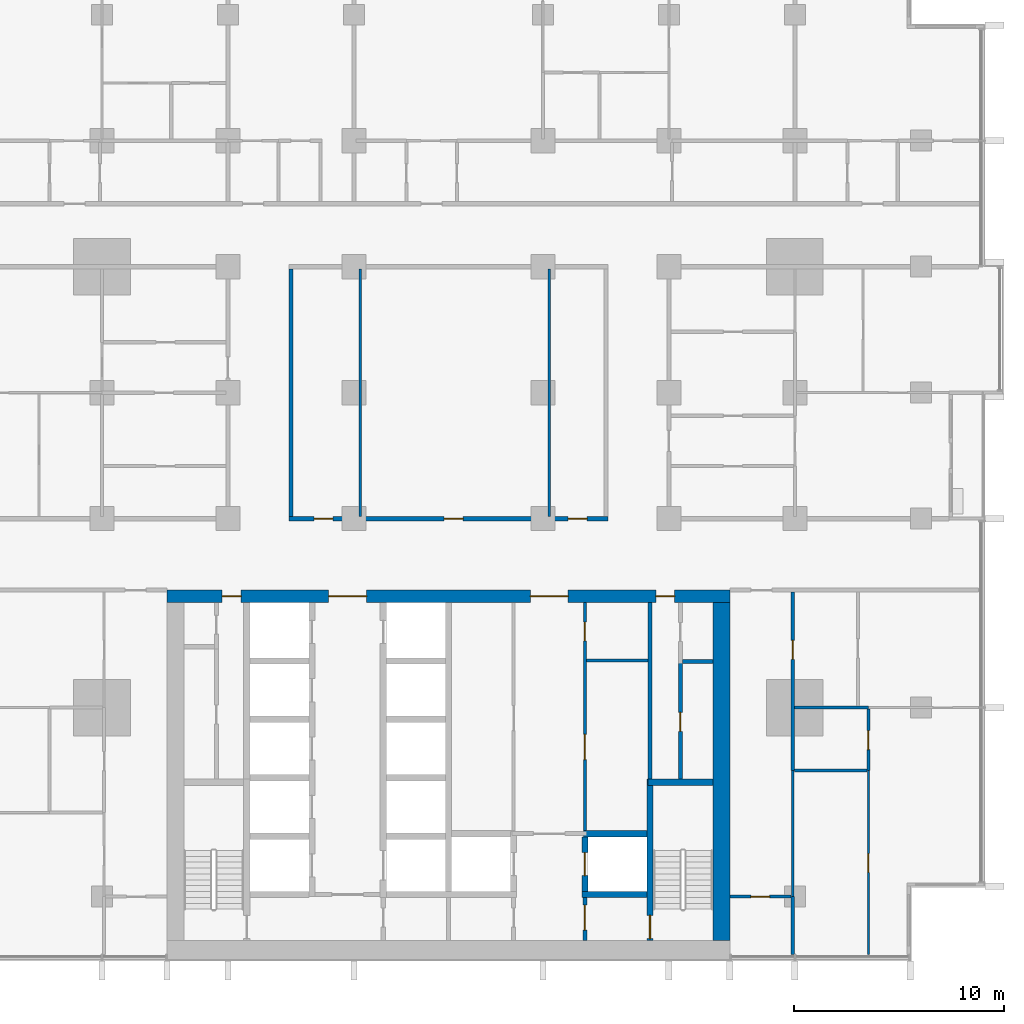
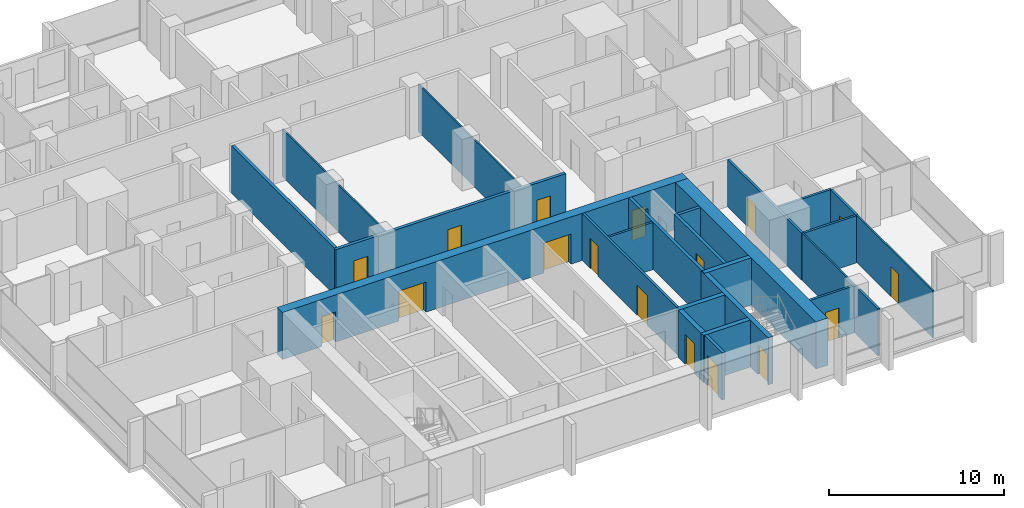
# One storey, part 9 of 18: 25 walls, 17 doors, 17 openings.
"""IFC4 building model written with IfcOpenShell, lengths in metres."""

from ifc_helpers import new_model, si_unit, direction, frame, frame_2d, origin, place, context, subcontext, project, spatial, rectangle, extrude, material, layer, layer_set, type_object, element, fill, save


model = new_model("IFC4")

# Units and contexts
model_context = context("Model", 3, precision=1e-05, world=origin(), true_north=direction((0.0, 1.0)))
body_context = subcontext(model_context, "Body", "Model", "MODEL_VIEW")
ifc_project = project(units=[si_unit("LENGTHUNIT", "METRE"), si_unit("AREAUNIT", "SQUARE_METRE"), si_unit("VOLUMEUNIT", "CUBIC_METRE"), si_unit("PLANEANGLEUNIT", "RADIAN"), si_unit("MASSUNIT", "GRAM", prefix="KILO")], contexts=[model_context])

# Site, building, storey
site_placement = place(None, origin())
site = spatial("IfcSite", under=ifc_project, at=site_placement, CompositionType="ELEMENT")
building_placement = place(site_placement, origin())
building = spatial("IfcBuilding", under=site, at=building_placement, Name="Finial Court Residences", CompositionType="ELEMENT")
storey_placement = place(building_placement, frame((0.0, 0.0, 84.699951171875)))
storey = spatial("IfcBuildingStorey", under=building, at=storey_placement, Name="L20", CompositionType="ELEMENT", Elevation=84.699951171875)

# Wall, openings, doors
ifc_material_1 = material(Name="Concrete C70/85", Category="concrete")
ifc_layer_1 = layer(ifc_material_1, 0.60009765625)
ifc_layer_set_1 = layer_set([ifc_layer_1], Name="Core outer wall 600 Concrete C70/85")
wall_type_1 = type_object("IfcWallType", Name="Core outer wall 600 Concrete C70/85", PredefinedType="SHEAR", material=ifc_layer_set_1)
wall_1_placement = place(storey_placement, frame((-13.39990234375, -8.199951171875, 0.0), z_axis=(0.0, 0.0, 1.0), x_axis=(1.0, 0.0, 0.0)))
wall_1 = element("IfcWall", 1, at=wall_1_placement, inside=storey, type_object=wall_type_1, Name="Core outer wall L20-02", PredefinedType="SHEAR", context=body_context, shape_type="SweptSolid", body=[
    extrude(rectangle(XDim=26.7998046875, YDim=0.60009765625, at=frame_2d((13.39990234375, 0.0))), origin(), (0.0, 0.0, 1.0), 3.300048828125),
])
opening_1_placement = place(wall_1_placement, frame((7.699951171875, 0.0, 0.0)))
opening_1 = element("IfcOpeningElement", 2, at=opening_1_placement, cuts=wall_1, Name="Opening L20-C04", PredefinedType="OPENING", context=body_context, shape_type="SweptSolid", body=[
    extrude(rectangle(XDim=1.800048828125, YDim=2.10009765625, at=frame_2d((0.89990234375, 1.050048828125))), frame((0.0, 0.31005859375, 0.0), z_axis=(0.0, -1.0, 0.0), x_axis=(1.0, 0.0, 0.0)), (0.0, 0.0, 1.0), 0.6201171875),
])
opening_2_placement = place(wall_1_placement, frame((17.300048828125, 0.0, 0.0)))
opening_2 = element("IfcOpeningElement", 3, at=opening_2_placement, cuts=wall_1, Name="Opening L20-C05", PredefinedType="OPENING", context=body_context, shape_type="SweptSolid", body=[
    extrude(rectangle(XDim=1.800048828125, YDim=2.10009765625, at=frame_2d((0.89990234375, 1.050048828125))), frame((0.0, 0.31005859375, 0.0), z_axis=(0.0, -1.0, 0.0), x_axis=(1.0, 0.0, 0.0)), (0.0, 0.0, 1.0), 0.6201171875),
])
opening_3_placement = place(wall_1_placement, frame((2.625, 0.0, 0.0)))
opening_3 = element("IfcOpeningElement", 4, at=opening_3_placement, cuts=wall_1, Name="Opening L20-C09", PredefinedType="OPENING", context=body_context, shape_type="SweptSolid", body=[
    extrude(rectangle(XDim=0.89990234375, YDim=2.10009765625, at=frame_2d((0.449951171875, 1.050048828125))), frame((0.0, 0.31005859375, 0.0), z_axis=(0.0, -1.0, 0.0), x_axis=(1.0, 0.0, 0.0)), (0.0, 0.0, 1.0), 0.6201171875),
])
opening_4_placement = place(wall_1_placement, frame((23.27490234375, 0.0, 0.0)))
opening_4 = element("IfcOpeningElement", 5, at=opening_4_placement, cuts=wall_1, Name="Opening L20-C10", PredefinedType="OPENING", context=body_context, shape_type="SweptSolid", body=[
    extrude(rectangle(XDim=0.89990234375, YDim=2.10009765625, at=frame_2d((0.449951171875, 1.050048828125))), frame((0.0, 0.31005859375, 0.0), z_axis=(0.0, -1.0, 0.0), x_axis=(1.0, 0.0, 0.0)), (0.0, 0.0, 1.0), 0.6201171875),
])
ifc_material_2 = material(Name="Steel fire door", Category="steel")
door_type_1 = type_object("IfcDoorType", Name="Lift lobby door 1800 x 2100 EI 60", OperationType="DOUBLE_DOOR_SINGLE_SWING", PredefinedType="DOOR", material=ifc_material_2)
door_1_placement = place(opening_1_placement, origin())
door_1 = element("IfcDoor", 6, at=door_1_placement, inside=storey, type_object=door_type_1, Name="Lift lobby door L20-C04", OperationType="DOUBLE_DOOR_SINGLE_SWING", OverallHeight=2.10009765625, OverallWidth=1.800048828125, PredefinedType="DOOR", context=body_context, shape_type="SweptSolid", body=[
    extrude(rectangle(XDim=1.800048828125, YDim=2.10009765625, at=frame_2d((0.89990234375, 1.050048828125))), frame((0.0, 0.02490234375, 0.0), z_axis=(0.0, -1.0, 0.0), x_axis=(1.0, 0.0, 0.0)), (0.0, 0.0, 1.0), 0.050048828125),
])
fill(opening_1, door_1)
door_2_placement = place(opening_2_placement, origin())
door_2 = element("IfcDoor", 7, at=door_2_placement, inside=storey, type_object=door_type_1, Name="Lift lobby door L20-C05", OperationType="DOUBLE_DOOR_SINGLE_SWING", OverallHeight=2.10009765625, OverallWidth=1.800048828125, PredefinedType="DOOR", context=body_context, shape_type="SweptSolid", body=[
    extrude(rectangle(XDim=1.800048828125, YDim=2.10009765625, at=frame_2d((0.89990234375, 1.050048828125))), frame((0.0, 0.02490234375, 0.0), z_axis=(0.0, -1.0, 0.0), x_axis=(1.0, 0.0, 0.0)), (0.0, 0.0, 1.0), 0.050048828125),
])
fill(opening_2, door_2)
door_type_2 = type_object("IfcDoorType", Name="Riser room door 900 x 2100 EI 90", OperationType="NOTDEFINED", PredefinedType="DOOR", material=ifc_material_2)
door_3_placement = place(opening_3_placement, origin())
door_3 = element("IfcDoor", 8, at=door_3_placement, inside=storey, type_object=door_type_2, Name="Riser room door L20-C09", OperationType="SINGLE_SWING_RIGHT", OverallHeight=2.10009765625, OverallWidth=0.89990234375, PredefinedType="DOOR", context=body_context, shape_type="SweptSolid", body=[
    extrude(rectangle(XDim=0.89990234375, YDim=2.10009765625, at=frame_2d((0.449951171875, 1.050048828125))), frame((0.0, 0.02490234375, 0.0), z_axis=(0.0, -1.0, 0.0), x_axis=(1.0, 0.0, 0.0)), (0.0, 0.0, 1.0), 0.050048828125),
])
fill(opening_3, door_3)
door_4_placement = place(opening_4_placement, origin())
door_4 = element("IfcDoor", 9, at=door_4_placement, inside=storey, type_object=door_type_2, Name="Riser room door L20-C10", OperationType="SINGLE_SWING_LEFT", OverallHeight=2.10009765625, OverallWidth=0.89990234375, PredefinedType="DOOR", context=body_context, shape_type="SweptSolid", body=[
    extrude(rectangle(XDim=0.89990234375, YDim=2.10009765625, at=frame_2d((0.449951171875, 1.050048828125))), frame((0.0, 0.02490234375, 0.0), z_axis=(0.0, -1.0, 0.0), x_axis=(1.0, 0.0, 0.0)), (0.0, 0.0, 1.0), 0.050048828125),
])
fill(opening_4, door_4)

# Walls
ifc_layer_2 = layer(ifc_material_1, 0.800048828125)
ifc_layer_set_2 = layer_set([ifc_layer_2], Name="Core outer wall 800 Concrete C70/85")
wall_type_2 = type_object("IfcWallType", Name="Core outer wall 800 Concrete C70/85", PredefinedType="SHEAR", material=ifc_layer_set_2)
wall_2_placement = place(storey_placement, frame((13.0, -24.60009765625, 0.0), z_axis=(0.0, 0.0, 1.0), x_axis=(0.0, 1.0, 0.0)))
element("IfcWall", 10, at=wall_2_placement, inside=storey, type_object=wall_type_2, Name="Core outer wall L20-04", PredefinedType="SHEAR", context=body_context, shape_type="SweptSolid", body=[
    extrude(rectangle(XDim=16.10009765625, YDim=0.800048828125, at=frame_2d((8.050048828125, 0.0))), origin(), (0.0, 0.0, 1.0), 3.300048828125),
])
ifc_material_3 = material(Name="Fire-rated gypsum board partition")
ifc_layer_3 = layer(ifc_material_3, 0.14990234375)
ifc_layer_set_3 = layer_set([ifc_layer_3], Name="Core room partition 150 EI 60")
wall_type_3 = type_object("IfcWallType", Name="Core room partition 150 EI 60", PredefinedType="PARTITIONING", material=ifc_layer_set_3)
wall_3_placement = place(storey_placement, frame((6.574951171875, -11.25, 0.0), z_axis=(0.0, 0.0, 1.0), x_axis=(1.0, 0.0, 0.0)))
element("IfcWall", 11, at=wall_3_placement, inside=storey, type_object=wall_type_3, Name="Core partition L20-19", PredefinedType="PARTITIONING", context=body_context, shape_type="SweptSolid", body=[
    extrude(rectangle(XDim=2.925048828125, YDim=0.14990234375, at=frame_2d((1.46240234375, 0.0))), origin(), (0.0, 0.0, 1.0), 3.300048828125),
])

# Wall, openings, doors
wall_4_placement = place(storey_placement, frame((6.5, -8.5, 0.0), z_axis=(0.0, 0.0, 1.0), x_axis=(0.0, -1.0, 0.0)))
wall_4 = element("IfcWall", 12, at=wall_4_placement, inside=storey, type_object=wall_type_3, Name="Core partition L20-35", PredefinedType="PARTITIONING", context=body_context, shape_type="SweptSolid", body=[
    extrude(rectangle(XDim=10.85009765625, YDim=0.14990234375, at=frame_2d((5.425048828125, 0.0))), origin(), (0.0, 0.0, 1.0), 3.300048828125),
])
opening_5_placement = place(wall_4_placement, frame((6.27490234375, 0.0, 0.0)))
opening_5 = element("IfcOpeningElement", 13, at=opening_5_placement, cuts=wall_4, Name="Opening L20-C15", PredefinedType="OPENING", context=body_context, shape_type="SweptSolid", body=[
    extrude(rectangle(XDim=1.199951171875, YDim=2.10009765625, at=frame_2d((0.60009765625, 1.050048828125))), frame((0.0, 0.0849609375, 0.0), z_axis=(0.0, -1.0, 0.0), x_axis=(1.0, 0.0, 0.0)), (0.0, 0.0, 1.0), 0.169921875),
])
opening_6_placement = place(wall_4_placement, frame((0.925048828125, 0.0, 0.0)))
opening_6 = element("IfcOpeningElement", 14, at=opening_6_placement, cuts=wall_4, Name="Opening L20-C16", PredefinedType="OPENING", context=body_context, shape_type="SweptSolid", body=[
    extrude(rectangle(XDim=0.89990234375, YDim=2.10009765625, at=frame_2d((0.449951171875, 1.050048828125))), frame((0.0, 0.0849609375, 0.0), z_axis=(0.0, -1.0, 0.0), x_axis=(1.0, 0.0, 0.0)), (0.0, 0.0, 1.0), 0.169921875),
])
door_type_3 = type_object("IfcDoorType", Name="Core room door 1200 x 2100 EI 60", OperationType="NOTDEFINED", PredefinedType="DOOR", material=ifc_material_2)
door_5_placement = place(opening_5_placement, origin())
door_5 = element("IfcDoor", 15, at=door_5_placement, inside=storey, type_object=door_type_3, Name="Core room door L20-C15", OperationType="SINGLE_SWING_RIGHT", OverallHeight=2.10009765625, OverallWidth=1.199951171875, PredefinedType="DOOR", context=body_context, shape_type="SweptSolid", body=[
    extrude(rectangle(XDim=1.199951171875, YDim=2.10009765625, at=frame_2d((0.60009765625, 1.050048828125))), frame((0.0, 0.02490234375, 0.0), z_axis=(0.0, -1.0, 0.0), x_axis=(1.0, 0.0, 0.0)), (0.0, 0.0, 1.0), 0.050048828125),
])
fill(opening_5, door_5)
door_type_4 = type_object("IfcDoorType", Name="Core room door 900 x 2100 EI 60", OperationType="NOTDEFINED", PredefinedType="DOOR", material=ifc_material_2)
door_6_placement = place(opening_6_placement, origin())
door_6 = element("IfcDoor", 16, at=door_6_placement, inside=storey, type_object=door_type_4, Name="Core room door L20-C16", OperationType="SINGLE_SWING_RIGHT", OverallHeight=2.10009765625, OverallWidth=0.89990234375, PredefinedType="DOOR", context=body_context, shape_type="SweptSolid", body=[
    extrude(rectangle(XDim=0.89990234375, YDim=2.10009765625, at=frame_2d((0.449951171875, 1.050048828125))), frame((0.0, 0.02490234375, 0.0), z_axis=(0.0, -1.0, 0.0), x_axis=(1.0, 0.0, 0.0)), (0.0, 0.0, 1.0), 0.050048828125),
])
fill(opening_6, door_6)

ifc_material_4 = material(Name="Gypsum board")
ifc_layer_4 = layer(ifc_material_4, 0.02490234375)
ifc_material_5 = material(Name="Acoustic mineral wool in double frame")
ifc_layer_5 = layer(ifc_material_5, 0.14990234375)
ifc_layer_6 = layer(ifc_material_4, 0.02490234375)
ifc_layer_set_4 = layer_set([ifc_layer_4, ifc_layer_5, ifc_layer_6], Name="Corridor wall 200, 1 hour")
wall_type_4 = type_object("IfcWallType", Name="Corridor wall 200, 1 hour", PredefinedType="PARTITIONING", material=ifc_layer_set_4)
wall_5_placement = place(storey_placement, frame((-7.60009765625, -4.5, 0.0), z_axis=(0.0, 0.0, 1.0), x_axis=(1.0, 0.0, 0.0)))
wall_5 = element("IfcWall", 17, at=wall_5_placement, inside=storey, type_object=wall_type_4, Name="Partition L20-012", PredefinedType="PARTITIONING", context=body_context, shape_type="SweptSolid", body=[
    extrude(rectangle(XDim=15.2001953125, YDim=0.199951171875, at=frame_2d((7.60009765625, 0.0))), origin(), (0.0, 0.0, 1.0), 3.300048828125),
])
opening_7_placement = place(wall_5_placement, frame((1.199951171875, 0.0, 0.0)))
opening_7 = element("IfcOpeningElement", 18, at=opening_7_placement, cuts=wall_5, Name="Opening L20-D007", PredefinedType="OPENING", context=body_context, shape_type="SweptSolid", body=[
    extrude(rectangle(XDim=0.89990234375, YDim=2.10009765625, at=frame_2d((0.449951171875, 1.050048828125))), frame((0.0, 0.10986328125, 0.0), z_axis=(0.0, -1.0, 0.0), x_axis=(1.0, 0.0, 0.0)), (0.0, 0.0, 1.0), 0.219970703125),
])
opening_8_placement = place(wall_5_placement, frame((7.39990234375, 0.0, 0.0)))
opening_8 = element("IfcOpeningElement", 19, at=opening_8_placement, cuts=wall_5, Name="Opening L20-D008", PredefinedType="OPENING", context=body_context, shape_type="SweptSolid", body=[
    extrude(rectangle(XDim=0.89990234375, YDim=2.10009765625, at=frame_2d((0.449951171875, 1.050048828125))), frame((0.0, 0.10986328125, 0.0), z_axis=(0.0, -1.0, 0.0), x_axis=(1.0, 0.0, 0.0)), (0.0, 0.0, 1.0), 0.219970703125),
])
opening_9_placement = place(wall_5_placement, frame((13.300048828125, 0.0, 0.0)))
opening_9 = element("IfcOpeningElement", 20, at=opening_9_placement, cuts=wall_5, Name="Opening L20-D009", PredefinedType="OPENING", context=body_context, shape_type="SweptSolid", body=[
    extrude(rectangle(XDim=0.89990234375, YDim=2.10009765625, at=frame_2d((0.449951171875, 1.050048828125))), frame((0.0, 0.10986328125, 0.0), z_axis=(0.0, -1.0, 0.0), x_axis=(1.0, 0.0, 0.0)), (0.0, 0.0, 1.0), 0.219970703125),
])
ifc_material_6 = material(Name="Timber door leaf in hollow metal frame", Category="wood")
door_type_5 = type_object("IfcDoorType", Name="Fire door set 900 x 2100, 30 minutes", OperationType="SINGLE_SWING_LEFT", PredefinedType="DOOR", material=ifc_material_6)
door_7_placement = place(opening_7_placement, origin())
door_7 = element("IfcDoor", 21, at=door_7_placement, inside=storey, type_object=door_type_5, Name="Door L20-D007", OperationType="SINGLE_SWING_RIGHT", OverallHeight=2.10009765625, OverallWidth=0.89990234375, PredefinedType="DOOR", context=body_context, shape_type="SweptSolid", body=[
    extrude(rectangle(XDim=0.89990234375, YDim=2.10009765625, at=frame_2d((0.449951171875, 1.050048828125))), frame((0.0, 0.02490234375, 0.0), z_axis=(0.0, -1.0, 0.0), x_axis=(1.0, 0.0, 0.0)), (0.0, 0.0, 1.0), 0.050048828125),
])
fill(opening_7, door_7)
door_8_placement = place(opening_8_placement, origin())
door_8 = element("IfcDoor", 22, at=door_8_placement, inside=storey, type_object=door_type_5, Name="Door L20-D008", OperationType="SINGLE_SWING_LEFT", OverallHeight=2.10009765625, OverallWidth=0.89990234375, PredefinedType="DOOR", context=body_context, shape_type="SweptSolid", body=[
    extrude(rectangle(XDim=0.89990234375, YDim=2.10009765625, at=frame_2d((0.449951171875, 1.050048828125))), frame((0.0, 0.02490234375, 0.0), z_axis=(0.0, -1.0, 0.0), x_axis=(1.0, 0.0, 0.0)), (0.0, 0.0, 1.0), 0.050048828125),
])
fill(opening_8, door_8)
door_9_placement = place(opening_9_placement, origin())
door_9 = element("IfcDoor", 23, at=door_9_placement, inside=storey, type_object=door_type_5, Name="Door L20-D009", OperationType="SINGLE_SWING_LEFT", OverallHeight=2.10009765625, OverallWidth=0.89990234375, PredefinedType="DOOR", context=body_context, shape_type="SweptSolid", body=[
    extrude(rectangle(XDim=0.89990234375, YDim=2.10009765625, at=frame_2d((0.449951171875, 1.050048828125))), frame((0.0, 0.02490234375, 0.0), z_axis=(0.0, -1.0, 0.0), x_axis=(1.0, 0.0, 0.0)), (0.0, 0.0, 1.0), 0.050048828125),
])
fill(opening_9, door_9)

# Wall
wall_6_placement = place(storey_placement, frame((-7.5, -4.39990234375, 0.0), z_axis=(0.0, 0.0, 1.0), x_axis=(0.0, 1.0, 0.0)))
element("IfcWall", 24, at=wall_6_placement, inside=storey, type_object=wall_type_4, Name="Partition L20-058", PredefinedType="PARTITIONING", context=body_context, shape_type="SweptSolid", body=[
    extrude(rectangle(XDim=11.7998046875, YDim=0.199951171875, at=frame_2d((5.89990234375, 0.0))), origin(), (0.0, 0.0, 1.0), 3.300048828125),
])

# Wall, opening, door
ifc_layer_7 = layer(ifc_material_3, 0.199951171875)
ifc_layer_set_5 = layer_set([ifc_layer_7], Name="Firefighting lobby wall 200 EI 120")
wall_type_5 = type_object("IfcWallType", Name="Firefighting lobby wall 200 EI 120", PredefinedType="PARTITIONING", material=ifc_layer_set_5)
wall_7_placement = place(storey_placement, frame((6.5, -22.550048828125, 0.0), z_axis=(0.0, 0.0, 1.0), x_axis=(0.0, -1.0, 0.0)))
wall_7 = element("IfcWall", 25, at=wall_7_placement, inside=storey, type_object=wall_type_5, Name="Core partition L20-33", PredefinedType="PARTITIONING", context=body_context, shape_type="SweptSolid", body=[
    extrude(rectangle(XDim=2.050048828125, YDim=0.199951171875, at=frame_2d((1.02490234375, 0.0))), origin(), (0.0, 0.0, 1.0), 3.300048828125),
])
opening_10_placement = place(wall_7_placement, frame((0.35009765625, 0.0, 0.0)))
opening_10 = element("IfcOpeningElement", 26, at=opening_10_placement, cuts=wall_7, Name="Opening L20-C01", PredefinedType="OPENING", context=body_context, shape_type="SweptSolid", body=[
    extrude(rectangle(XDim=1.199951171875, YDim=2.10009765625, at=frame_2d((0.60009765625, 1.050048828125))), frame((0.0, 0.10986328125, 0.0), z_axis=(0.0, -1.0, 0.0), x_axis=(1.0, 0.0, 0.0)), (0.0, 0.0, 1.0), 0.219970703125),
])
door_type_6 = type_object("IfcDoorType", Name="Firefighting lobby door 1200 x 2100 EI 90", OperationType="NOTDEFINED", PredefinedType="DOOR", material=ifc_material_2)
door_10_placement = place(opening_10_placement, origin())
door_10 = element("IfcDoor", 27, at=door_10_placement, inside=storey, type_object=door_type_6, Name="Firefighting lobby door L20-C01", OperationType="SINGLE_SWING_RIGHT", OverallHeight=2.10009765625, OverallWidth=1.199951171875, PredefinedType="DOOR", context=body_context, shape_type="SweptSolid", body=[
    extrude(rectangle(XDim=1.199951171875, YDim=2.10009765625, at=frame_2d((0.60009765625, 1.050048828125))), frame((0.0, 0.02490234375, 0.0), z_axis=(0.0, -1.0, 0.0), x_axis=(1.0, 0.0, 0.0)), (0.0, 0.0, 1.0), 0.050048828125),
])
fill(opening_10, door_10)

# Walls
ifc_layer_8 = layer(ifc_material_4, 0.012451171875)
ifc_material_7 = material(Name="Mineral wool in light-gauge frame")
ifc_layer_9 = layer(ifc_material_7, 0.074951171875)
ifc_layer_10 = layer(ifc_material_4, 0.012451171875)
ifc_layer_set_6 = layer_set([ifc_layer_8, ifc_layer_9, ifc_layer_10], Name="Gypsum board partition 100")
wall_type_6 = type_object("IfcWallType", Name="Gypsum board partition 100", PredefinedType="PARTITIONING", material=ifc_layer_set_6)
for number, where, z_axis, x_axis, name in (
    (28, (-4.199951171875, -4.39990234375, 0.0), (0.0, 0.0, 1.0), (0.0, 1.0, 0.0), "Partition L20-061"),
    (29, (4.800048828125, -4.39990234375, 0.0), (0.0, 0.0, 1.0), (0.0, 1.0, 0.0), "Partition L20-066"),
):
    element("IfcWall", number, at=place(storey_placement, frame(where, z_axis=z_axis, x_axis=x_axis)), inside=storey, type_object=wall_type_6, Name=name, PredefinedType="PARTITIONING", context=body_context, shape_type="SweptSolid", body=[
        extrude(rectangle(XDim=11.7998046875, YDim=0.10009765625, at=frame_2d((5.89990234375, 0.0))), origin(), (0.0, 0.0, 1.0), 3.300048828125),
    ])
wall_8_placement = place(storey_placement, frame((16.39990234375, -22.5, 0.0), z_axis=(0.0, 0.0, 1.0), x_axis=(0.0, 1.0, 0.0)))
element("IfcWall", 30, at=wall_8_placement, inside=storey, type_object=wall_type_6, Name="Partition L20-072", PredefinedType="PARTITIONING", context=body_context, shape_type="SweptSolid", body=[
    extrude(rectangle(XDim=6.0, YDim=0.10009765625, at=frame_2d((3.0, 0.0))), origin(), (0.0, 0.0, 1.0), 3.300048828125),
])

# Wall, opening, door
wall_9_placement = place(storey_placement, frame((20.0, -25.25, 0.0), z_axis=(0.0, 0.0, 1.0), x_axis=(0.0, 1.0, 0.0)))
wall_9 = element("IfcWall", 31, at=wall_9_placement, inside=storey, type_object=wall_type_6, Name="Partition L20-084", PredefinedType="PARTITIONING", context=body_context, shape_type="SweptSolid", body=[
    extrude(rectangle(XDim=8.75, YDim=0.10009765625, at=frame_2d((4.375, 0.0))), origin(), (0.0, 0.0, 1.0), 3.300048828125),
])
opening_11_placement = place(wall_9_placement, frame((3.89990234375, 0.0, 0.0)))
opening_11 = element("IfcOpeningElement", 32, at=opening_11_placement, cuts=wall_9, Name="Opening L20-D052", PredefinedType="OPENING", context=body_context, shape_type="SweptSolid", body=[
    extrude(rectangle(XDim=0.89990234375, YDim=2.10009765625, at=frame_2d((0.449951171875, 1.050048828125))), frame((0.0, 0.06005859375, 0.0), z_axis=(0.0, -1.0, 0.0), x_axis=(1.0, 0.0, 0.0)), (0.0, 0.0, 1.0), 0.1201171875),
])
ifc_material_8 = material(Name="Timber door leaf in timber frame", Category="wood")
door_type_7 = type_object("IfcDoorType", Name="Door set 900 x 2100", OperationType="SINGLE_SWING_LEFT", PredefinedType="DOOR", material=ifc_material_8)
door_11_placement = place(opening_11_placement, origin())
door_11 = element("IfcDoor", 33, at=door_11_placement, inside=storey, type_object=door_type_7, Name="Door L20-D052", OperationType="SINGLE_SWING_LEFT", OverallHeight=2.10009765625, OverallWidth=0.89990234375, PredefinedType="DOOR", context=body_context, shape_type="SweptSolid", body=[
    extrude(rectangle(XDim=0.89990234375, YDim=2.10009765625, at=frame_2d((0.449951171875, 1.050048828125))), frame((0.0, 0.02490234375, 0.0), z_axis=(0.0, -1.0, 0.0), x_axis=(1.0, 0.0, 0.0)), (0.0, 0.0, 1.0), 0.050048828125),
])
fill(opening_11, door_11)

ifc_material_9 = material(Name="Moisture-resistant gypsum board")
ifc_layer_11 = layer(ifc_material_9, 0.012451171875)
ifc_layer_12 = layer(ifc_material_7, 0.125)
ifc_layer_13 = layer(ifc_material_9, 0.012451171875)
ifc_layer_set_7 = layer_set([ifc_layer_11, ifc_layer_12, ifc_layer_13], Name="Gypsum board wet-area partition 150")
wall_type_7 = type_object("IfcWallType", Name="Gypsum board wet-area partition 150", PredefinedType="PARTITIONING", material=ifc_layer_set_7)
wall_10_placement = place(storey_placement, frame((13.39990234375, -22.5, 0.0), z_axis=(0.0, 0.0, 1.0), x_axis=(1.0, 0.0, 0.0)))
wall_10 = element("IfcWall", 34, at=wall_10_placement, inside=storey, type_object=wall_type_7, Name="Partition L20-001", PredefinedType="PARTITIONING", context=body_context, shape_type="SweptSolid", body=[
    extrude(rectangle(XDim=2.925048828125, YDim=0.14990234375, at=frame_2d((1.46240234375, 0.0))), origin(), (0.0, 0.0, 1.0), 3.300048828125),
])
opening_12_placement = place(wall_10_placement, frame((1.0, 0.0, 0.0)))
opening_12 = element("IfcOpeningElement", 35, at=opening_12_placement, cuts=wall_10, Name="Opening L20-D002", PredefinedType="OPENING", context=body_context, shape_type="SweptSolid", body=[
    extrude(rectangle(XDim=0.89990234375, YDim=2.10009765625, at=frame_2d((0.449951171875, 1.050048828125))), frame((0.0, 0.0849609375, 0.0), z_axis=(0.0, -1.0, 0.0), x_axis=(1.0, 0.0, 0.0)), (0.0, 0.0, 1.0), 0.169921875),
])
door_12_placement = place(opening_12_placement, origin())
door_12 = element("IfcDoor", 36, at=door_12_placement, inside=storey, type_object=door_type_7, Name="Door L20-D002", OperationType="SINGLE_SWING_RIGHT", OverallHeight=2.10009765625, OverallWidth=0.89990234375, PredefinedType="DOOR", context=body_context, shape_type="SweptSolid", body=[
    extrude(rectangle(XDim=0.89990234375, YDim=2.10009765625, at=frame_2d((0.449951171875, 1.050048828125))), frame((0.0, 0.02490234375, 0.0), z_axis=(0.0, -1.0, 0.0), x_axis=(1.0, 0.0, 0.0)), (0.0, 0.0, 1.0), 0.050048828125),
])
fill(opening_12, door_12)

# Walls
wall_11_placement = place(storey_placement, frame((16.47509765625, -16.5, 0.0), z_axis=(0.0, 0.0, 1.0), x_axis=(1.0, 0.0, 0.0)))
element("IfcWall", 37, at=wall_11_placement, inside=storey, type_object=wall_type_7, Name="Partition L20-004", PredefinedType="PARTITIONING", context=body_context, shape_type="SweptSolid", body=[
    extrude(rectangle(XDim=3.449951171875, YDim=0.14990234375, at=frame_2d((1.72509765625, 0.0))), origin(), (0.0, 0.0, 1.0), 3.300048828125),
])
wall_12_placement = place(storey_placement, frame((16.47509765625, -13.5, 0.0), z_axis=(0.0, 0.0, 1.0), x_axis=(1.0, 0.0, 0.0)))
element("IfcWall", 38, at=wall_12_placement, inside=storey, type_object=wall_type_7, Name="Partition L20-008", PredefinedType="PARTITIONING", context=body_context, shape_type="SweptSolid", body=[
    extrude(rectangle(XDim=3.52490234375, YDim=0.14990234375, at=frame_2d((1.762451171875, 0.0))), origin(), (0.0, 0.0, 1.0), 3.300048828125),
])
wall_13_placement = place(storey_placement, frame((16.39990234375, -25.25, 0.0), z_axis=(0.0, 0.0, 1.0), x_axis=(0.0, 1.0, 0.0)))
element("IfcWall", 39, at=wall_13_placement, inside=storey, type_object=wall_type_7, Name="Partition L20-073", PredefinedType="PARTITIONING", context=body_context, shape_type="SweptSolid", body=[
    extrude(rectangle(XDim=2.75, YDim=0.14990234375, at=frame_2d((1.375, 0.0))), origin(), (0.0, 0.0, 1.0), 3.300048828125),
])

# Wall, opening, door
wall_14_placement = place(storey_placement, frame((16.39990234375, -16.5, 0.0), z_axis=(0.0, 0.0, 1.0), x_axis=(0.0, 1.0, 0.0)))
wall_14 = element("IfcWall", 40, at=wall_14_placement, inside=storey, type_object=wall_type_7, Name="Partition L20-074", PredefinedType="PARTITIONING", context=body_context, shape_type="SweptSolid", body=[
    extrude(rectangle(XDim=8.5, YDim=0.14990234375, at=frame_2d((4.25, 0.0))), origin(), (0.0, 0.0, 1.0), 3.300048828125),
])
opening_13_placement = place(wall_14_placement, frame((5.300048828125, 0.0, 0.0)))
opening_13 = element("IfcOpeningElement", 41, at=opening_13_placement, cuts=wall_14, Name="Opening L20-D047", PredefinedType="OPENING", context=body_context, shape_type="SweptSolid", body=[
    extrude(rectangle(XDim=0.89990234375, YDim=2.10009765625, at=frame_2d((0.449951171875, 1.050048828125))), frame((0.0, 0.0849609375, 0.0), z_axis=(0.0, -1.0, 0.0), x_axis=(1.0, 0.0, 0.0)), (0.0, 0.0, 1.0), 0.169921875),
])
door_13_placement = place(opening_13_placement, origin())
door_13 = element("IfcDoor", 42, at=door_13_placement, inside=storey, type_object=door_type_7, Name="Door L20-D047", OperationType="SINGLE_SWING_RIGHT", OverallHeight=2.10009765625, OverallWidth=0.89990234375, PredefinedType="DOOR", context=body_context, shape_type="SweptSolid", body=[
    extrude(rectangle(XDim=0.89990234375, YDim=2.10009765625, at=frame_2d((0.449951171875, 1.050048828125))), frame((0.0, 0.02490234375, 0.0), z_axis=(0.0, -1.0, 0.0), x_axis=(1.0, 0.0, 0.0)), (0.0, 0.0, 1.0), 0.050048828125),
])
fill(opening_13, door_13)

wall_15_placement = place(storey_placement, frame((20.0, -16.5, 0.0), z_axis=(0.0, 0.0, 1.0), x_axis=(0.0, 1.0, 0.0)))
wall_15 = element("IfcWall", 43, at=wall_15_placement, inside=storey, type_object=wall_type_7, Name="Partition L20-085", PredefinedType="PARTITIONING", context=body_context, shape_type="SweptSolid", body=[
    extrude(rectangle(XDim=2.925048828125, YDim=0.14990234375, at=frame_2d((1.46240234375, 0.0))), origin(), (0.0, 0.0, 1.0), 3.300048828125),
])
opening_14_placement = place(wall_15_placement, frame((1.0, 0.0, 0.0)))
opening_14 = element("IfcOpeningElement", 44, at=opening_14_placement, cuts=wall_15, Name="Opening L20-D053", PredefinedType="OPENING", context=body_context, shape_type="SweptSolid", body=[
    extrude(rectangle(XDim=0.89990234375, YDim=2.10009765625, at=frame_2d((0.449951171875, 1.050048828125))), frame((0.0, 0.0849609375, 0.0), z_axis=(0.0, -1.0, 0.0), x_axis=(1.0, 0.0, 0.0)), (0.0, 0.0, 1.0), 0.169921875),
])
door_14_placement = place(opening_14_placement, origin())
door_14 = element("IfcDoor", 45, at=door_14_placement, inside=storey, type_object=door_type_7, Name="Door L20-D053", OperationType="SINGLE_SWING_LEFT", OverallHeight=2.10009765625, OverallWidth=0.89990234375, PredefinedType="DOOR", context=body_context, shape_type="SweptSolid", body=[
    extrude(rectangle(XDim=0.89990234375, YDim=2.10009765625, at=frame_2d((0.449951171875, 1.050048828125))), frame((0.0, 0.02490234375, 0.0), z_axis=(0.0, -1.0, 0.0), x_axis=(1.0, 0.0, 0.0)), (0.0, 0.0, 1.0), 0.050048828125),
])
fill(opening_14, door_14)

# Walls
ifc_layer_14 = layer(ifc_material_1, 0.300048828125)
ifc_layer_set_8 = layer_set([ifc_layer_14], Name="Lift shaft and stair wall 300 Concrete C70/85")
wall_type_8 = type_object("IfcWallType", Name="Lift shaft and stair wall 300 Concrete C70/85", PredefinedType="SHEAR", material=ifc_layer_set_8)
wall_16_placement = place(storey_placement, frame((6.35009765625, -22.39990234375, 0.0), z_axis=(0.0, 0.0, 1.0), x_axis=(1.0, 0.0, 0.0)))
element("IfcWall", 46, at=wall_16_placement, inside=storey, type_object=wall_type_8, Name="Core wall L20-04", PredefinedType="SHEAR", context=body_context, shape_type="SweptSolid", body=[
    extrude(rectangle(XDim=3.099853515625, YDim=0.300048828125, at=frame_2d((1.5498046875, 0.0))), origin(), (0.0, 0.0, 1.0), 3.300048828125),
])
wall_17_placement = place(storey_placement, frame((6.425048828125, -19.5, 0.0), z_axis=(0.0, 0.0, 1.0), x_axis=(1.0, 0.0, 0.0)))
element("IfcWall", 47, at=wall_17_placement, inside=storey, type_object=wall_type_8, Name="Core wall L20-09", PredefinedType="SHEAR", context=body_context, shape_type="SweptSolid", body=[
    extrude(rectangle(XDim=3.02490234375, YDim=0.300048828125, at=frame_2d((1.512451171875, 0.0))), origin(), (0.0, 0.0, 1.0), 3.300048828125),
])
wall_18_placement = place(storey_placement, frame((9.5, -17.050048828125, 0.0), z_axis=(0.0, 0.0, 1.0), x_axis=(1.0, 0.0, 0.0)))
element("IfcWall", 48, at=wall_18_placement, inside=storey, type_object=wall_type_8, Name="Core wall L20-11", PredefinedType="SHEAR", context=body_context, shape_type="SweptSolid", body=[
    extrude(rectangle(XDim=3.10009765625, YDim=0.300048828125, at=frame_2d((1.550048828125, 0.0))), origin(), (0.0, 0.0, 1.0), 3.300048828125),
])

# Wall, opening, door
wall_19_placement = place(storey_placement, frame((6.5, -22.25, 0.0), z_axis=(0.0, 0.0, 1.0), x_axis=(0.0, 1.0, 0.0)))
wall_19 = element("IfcWall", 49, at=wall_19_placement, inside=storey, type_object=wall_type_8, Name="Core wall L20-34", PredefinedType="SHEAR", context=body_context, shape_type="SweptSolid", body=[
    extrude(rectangle(XDim=2.60009765625, YDim=0.300048828125, at=frame_2d((1.300048828125, 0.0))), origin(), (0.0, 0.0, 1.0), 3.300048828125),
])
opening_15_placement = place(wall_19_placement, frame((0.75, 0.0, 0.0)))
opening_15 = element("IfcOpeningElement", 50, at=opening_15_placement, cuts=wall_19, Name="Opening L20-LD02", PredefinedType="OPENING", context=body_context, shape_type="SweptSolid", body=[
    extrude(rectangle(XDim=1.10009765625, YDim=2.10009765625, at=frame_2d((0.550048828125, 1.050048828125))), frame((0.0, 0.159912109375, 0.0), z_axis=(0.0, -1.0, 0.0), x_axis=(1.0, 0.0, 0.0)), (0.0, 0.0, 1.0), 0.320068359375),
])
ifc_material_10 = material(Name="Stainless steel lift door", Category="steel")
door_type_8 = type_object("IfcDoorType", Name="Lift landing door 1100 x 2100 EI 90", OperationType="DOUBLE_DOOR_SLIDING", PredefinedType="DOOR", material=ifc_material_10)
door_15_placement = place(opening_15_placement, origin())
door_15 = element("IfcDoor", 51, at=door_15_placement, inside=storey, type_object=door_type_8, Name="Lift landing door FF2 L20", OperationType="DOUBLE_DOOR_SLIDING", OverallHeight=2.10009765625, OverallWidth=1.10009765625, PredefinedType="DOOR", context=body_context, shape_type="SweptSolid", body=[
    extrude(rectangle(XDim=1.10009765625, YDim=2.10009765625, at=frame_2d((0.550048828125, 1.050048828125))), frame((0.0, 0.02490234375, 0.0), z_axis=(0.0, -1.0, 0.0), x_axis=(1.0, 0.0, 0.0)), (0.0, 0.0, 1.0), 0.050048828125),
])
fill(opening_15, door_15)

wall_20_placement = place(storey_placement, frame((9.60009765625, -16.89990234375, 0.0), z_axis=(0.0, 0.0, 1.0), x_axis=(0.0, -1.0, 0.0)))
wall_20 = element("IfcWall", 52, at=wall_20_placement, inside=storey, type_object=wall_type_8, Name="Core wall L20-36", PredefinedType="SHEAR", context=body_context, shape_type="SweptSolid", body=[
    extrude(rectangle(XDim=7.7001953125, YDim=0.300048828125, at=frame_2d((3.85009765625, 0.0))), origin(), (0.0, 0.0, 1.0), 3.300048828125),
])
opening_16_placement = place(wall_20_placement, frame((6.5, 0.0, 0.0)))
opening_16 = element("IfcOpeningElement", 53, at=opening_16_placement, cuts=wall_20, Name="Opening L20-C18", PredefinedType="OPENING", context=body_context, shape_type="SweptSolid", body=[
    extrude(rectangle(XDim=1.10009765625, YDim=2.10009765625, at=frame_2d((0.550048828125, 1.050048828125))), frame((0.0, 0.159912109375, 0.0), z_axis=(0.0, -1.0, 0.0), x_axis=(1.0, 0.0, 0.0)), (0.0, 0.0, 1.0), 0.320068359375),
])
door_type_9 = type_object("IfcDoorType", Name="Stair door 1100 x 2100 EI 90", OperationType="NOTDEFINED", PredefinedType="DOOR", material=ifc_material_2)
door_16_placement = place(opening_16_placement, origin())
door_16 = element("IfcDoor", 54, at=door_16_placement, inside=storey, type_object=door_type_9, Name="Stair door L20-C18", OperationType="SINGLE_SWING_RIGHT", OverallHeight=2.10009765625, OverallWidth=1.10009765625, PredefinedType="DOOR", context=body_context, shape_type="SweptSolid", body=[
    extrude(rectangle(XDim=1.10009765625, YDim=2.10009765625, at=frame_2d((0.550048828125, 1.050048828125))), frame((0.0, 0.02490234375, 0.0), z_axis=(0.0, -1.0, 0.0), x_axis=(1.0, 0.0, 0.0)), (0.0, 0.0, 1.0), 0.050048828125),
])
fill(opening_16, door_16)

# Walls
ifc_layer_15 = layer(ifc_material_3, 0.199951171875)
ifc_layer_set_9 = layer_set([ifc_layer_15], Name="Riser room wall 200 EI 120")
wall_type_9 = type_object("IfcWallType", Name="Riser room wall 200 EI 120", PredefinedType="PARTITIONING", material=ifc_layer_set_9)
wall_21_placement = place(storey_placement, frame((11.14990234375, -11.300048828125, 0.0), z_axis=(0.0, 0.0, 1.0), x_axis=(1.0, 0.0, 0.0)))
element("IfcWall", 55, at=wall_21_placement, inside=storey, type_object=wall_type_9, Name="Core partition L20-16", PredefinedType="PARTITIONING", context=body_context, shape_type="SweptSolid", body=[
    extrude(rectangle(XDim=1.4501953125, YDim=0.199951171875, at=frame_2d((0.72509765625, 0.0))), origin(), (0.0, 0.0, 1.0), 3.300048828125),
])
ifc_layer_16 = layer(ifc_material_3, 0.199951171875)
ifc_layer_set_10 = layer_set([ifc_layer_16], Name="Stair passage wall 200 EI 180")
wall_type_10 = type_object("IfcWallType", Name="Stair passage wall 200 EI 180", PredefinedType="PARTITIONING", material=ifc_layer_set_10)
wall_22_placement = place(storey_placement, frame((9.60009765625, -16.89990234375, 0.0), z_axis=(0.0, 0.0, 1.0), x_axis=(0.0, 1.0, 0.0)))
element("IfcWall", 56, at=wall_22_placement, inside=storey, type_object=wall_type_10, Name="Core partition L20-37", PredefinedType="PARTITIONING", context=body_context, shape_type="SweptSolid", body=[
    extrude(rectangle(XDim=8.39990234375, YDim=0.199951171875, at=frame_2d((4.199951171875, 0.0))), origin(), (0.0, 0.0, 1.0), 3.300048828125),
])

# Wall, opening, door
wall_23_placement = place(storey_placement, frame((11.050048828125, -11.199951171875, 0.0), z_axis=(0.0, 0.0, 1.0), x_axis=(0.0, -1.0, 0.0)))
wall_23 = element("IfcWall", 57, at=wall_23_placement, inside=storey, type_object=wall_type_10, Name="Core partition L20-38", PredefinedType="PARTITIONING", context=body_context, shape_type="SweptSolid", body=[
    extrude(rectangle(XDim=5.699951171875, YDim=0.199951171875, at=frame_2d((2.85009765625, 0.0))), origin(), (0.0, 0.0, 1.0), 3.300048828125),
])
opening_17_placement = place(wall_23_placement, frame((2.52490234375, 0.0, 0.0)))
opening_17 = element("IfcOpeningElement", 58, at=opening_17_placement, cuts=wall_23, Name="Opening L20-C13", PredefinedType="OPENING", context=body_context, shape_type="SweptSolid", body=[
    extrude(rectangle(XDim=0.89990234375, YDim=2.10009765625, at=frame_2d((0.449951171875, 1.050048828125))), frame((0.0, 0.10986328125, 0.0), z_axis=(0.0, -1.0, 0.0), x_axis=(1.0, 0.0, 0.0)), (0.0, 0.0, 1.0), 0.219970703125),
])
door_17_placement = place(opening_17_placement, origin())
door_17 = element("IfcDoor", 59, at=door_17_placement, inside=storey, type_object=door_type_4, Name="Core room door L20-C13", OperationType="SINGLE_SWING_RIGHT", OverallHeight=2.10009765625, OverallWidth=0.89990234375, PredefinedType="DOOR", context=body_context, shape_type="SweptSolid", body=[
    extrude(rectangle(XDim=0.89990234375, YDim=2.10009765625, at=frame_2d((0.449951171875, 1.050048828125))), frame((0.0, 0.02490234375, 0.0), z_axis=(0.0, -1.0, 0.0), x_axis=(1.0, 0.0, 0.0)), (0.0, 0.0, 1.0), 0.050048828125),
])
fill(opening_17, door_17)

save(model, "model.ifc")
